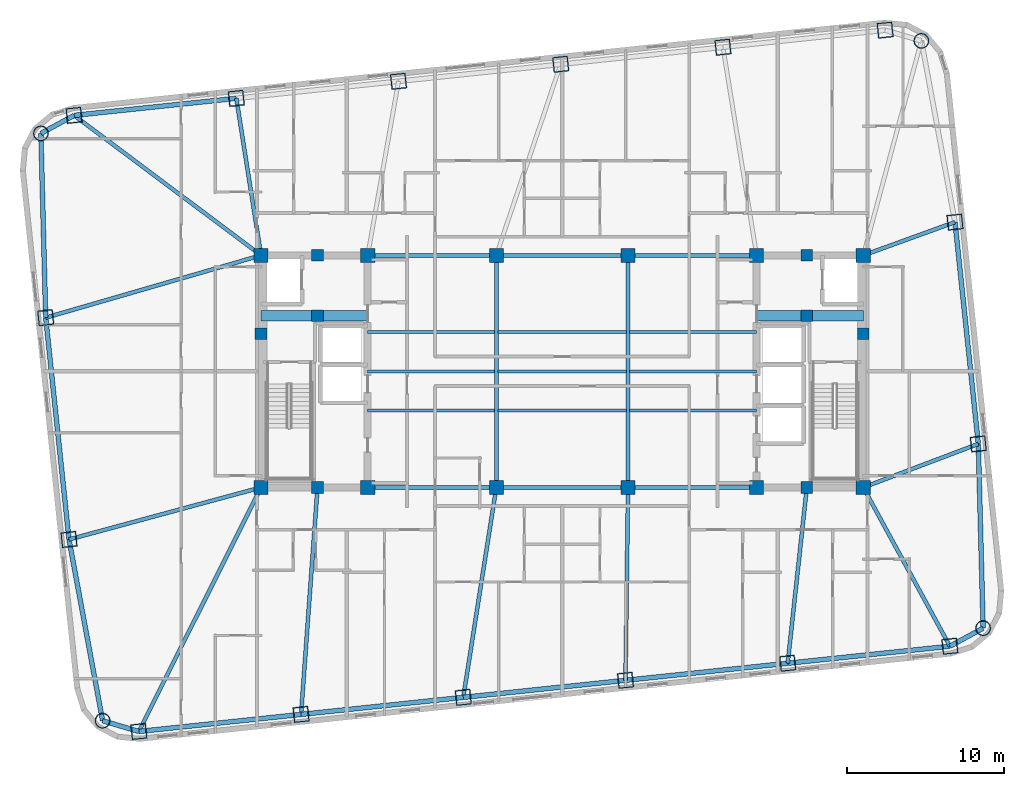
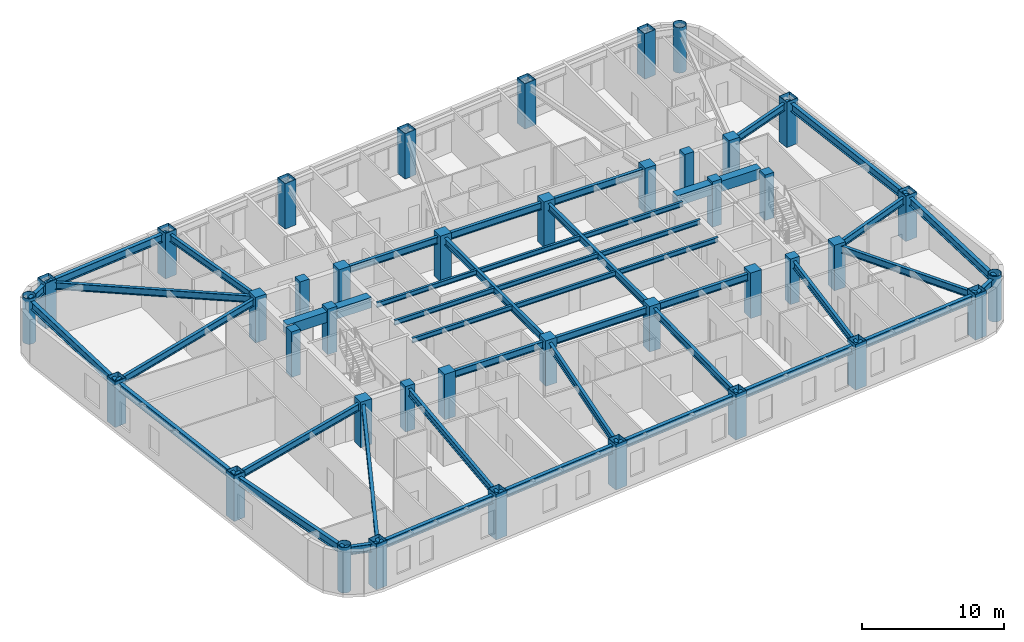
# One storey, part 1 of 12: 45 beams, 40 columns.
"""IFC4 building model written with IfcOpenShell, lengths in metres."""

from ifc_helpers import new_model, si_unit, direction, frame, origin, origin_2d, place, context, subcontext, project, spatial, rectangle, hollow_rectangle, hollow_circle, i_section, extrude, material, material_profile, profile_set, type_object, element, save


model = new_model("IFC4")

# Units and contexts
model_context = context("Model", 3, precision=1e-05, world=origin(), true_north=direction((0.0, 1.0)))
body_context = subcontext(model_context, "Body", "Model", "MODEL_VIEW")
ifc_project = project(units=[si_unit("LENGTHUNIT", "METRE"), si_unit("AREAUNIT", "SQUARE_METRE"), si_unit("VOLUMEUNIT", "CUBIC_METRE"), si_unit("PLANEANGLEUNIT", "RADIAN"), si_unit("MASSUNIT", "GRAM", prefix="KILO")], contexts=[model_context])

# Site, building, storey
site_placement = place(None, origin())
site = spatial("IfcSite", under=ifc_project, at=site_placement, CompositionType="ELEMENT")
building_placement = place(site_placement, origin())
building = spatial("IfcBuilding", under=site, at=building_placement, Name="Voryun Gate Residences", CompositionType="ELEMENT")
storey_placement = place(building_placement, frame((0.0, 0.0, 179.39990234375)))
storey = spatial("IfcBuildingStorey", under=building, at=storey_placement, Name="L44", CompositionType="ELEMENT", Elevation=179.39990234375)

# Columns
ifc_material_1 = material(Name="Concrete C50/60", Category="concrete")
ifc_material_profile_1 = material_profile(ifc_material_1, rectangle(XDim=0.75, YDim=0.75, at=origin_2d()), Name="RC-750x750")
ifc_profile_set_1 = profile_set([ifc_material_profile_1], Name="Concrete C50/60")
column_type_1 = type_object("IfcColumnType", Name="COL_CORE_750", PredefinedType="COLUMN", material=ifc_profile_set_1)
for number, where, z_axis, x_axis, name in (
    (1, (-19.199951171875, 2.39990234375, 0.0), (0.0, 0.0, 1.0), (1.0, 0.0, 0.0), "L44 Core boundary column WC-MW"),
    (2, (-15.60009765625, -7.39990234375, 0.0), (0.0, 0.0, 1.0), (1.0, 0.0, 0.0), "L44 Core boundary column WC-SM"),
    (3, (-15.60009765625, 7.39990234375, 0.0), (0.0, 0.0, 1.0), (1.0, 0.0, 0.0), "L44 Core boundary column WC-NM"),
    (4, (-15.60009765625, 3.550048828125, 0.0), (0.0, 0.0, 1.0), (1.0, 0.0, 0.0), "L44 Core boundary column WC-MM"),
    (5, (15.60009765625, 3.550048828125, 0.0), (0.0, 0.0, 1.0), (1.0, 0.0, 0.0), "L44 Core boundary column EC-MM"),
    (6, (15.60009765625, -7.39990234375, 0.0), (0.0, 0.0, 1.0), (1.0, 0.0, 0.0), "L44 Core boundary column EC-SM"),
    (7, (15.60009765625, 7.39990234375, 0.0), (0.0, 0.0, 1.0), (1.0, 0.0, 0.0), "L44 Core boundary column EC-NM"),
    (8, (19.199951171875, 2.39990234375, 0.0), (0.0, 0.0, 1.0), (1.0, 0.0, 0.0), "L44 Core boundary column EC-ME"),
):
    element("IfcColumn", number, at=place(storey_placement, frame(where, z_axis=z_axis, x_axis=x_axis)), inside=storey, type_object=column_type_1, Name=name, PredefinedType="COLUMN", context=body_context, shape_type="SweptSolid", body=[
        extrude(rectangle(XDim=0.75, YDim=0.75, at=origin_2d()), origin(), (0.0, 0.0, 1.0), 3.900146484375),
    ])
ifc_material_2 = material(Name="Concrete C50/60", Category="concrete")
ifc_material_profile_2 = material_profile(ifc_material_2, rectangle(XDim=0.89990234375, YDim=0.89990234375, at=origin_2d()), Name="RC-900x900")
ifc_profile_set_2 = profile_set([ifc_material_profile_2], Name="Concrete C50/60")
column_type_2 = type_object("IfcColumnType", Name="COL_CORE_900", PredefinedType="COLUMN", material=ifc_profile_set_2)
for number, where, z_axis, x_axis, name in (
    (9, (-19.199951171875, -7.39990234375, 0.0), (0.0, 0.0, 1.0), (1.0, 0.0, 0.0), "L44 Core boundary column WC-SW"),
    (10, (-19.199951171875, 7.39990234375, 0.0), (0.0, 0.0, 1.0), (1.0, 0.0, 0.0), "L44 Core boundary column WC-NW"),
    (11, (-12.39990234375, -7.39990234375, 0.0), (0.0, 0.0, 1.0), (1.0, 0.0, 0.0), "L44 Core boundary column WC-SE"),
    (12, (-12.39990234375, 7.39990234375, 0.0), (0.0, 0.0, 1.0), (1.0, 0.0, 0.0), "L44 Core boundary column WC-NE"),
    (13, (12.39990234375, -7.39990234375, 0.0), (0.0, 0.0, 1.0), (1.0, 0.0, 0.0), "L44 Core boundary column EC-SW"),
    (14, (12.39990234375, 7.39990234375, 0.0), (0.0, 0.0, 1.0), (1.0, 0.0, 0.0), "L44 Core boundary column EC-NW"),
    (15, (19.199951171875, -7.39990234375, 0.0), (0.0, 0.0, 1.0), (1.0, 0.0, 0.0), "L44 Core boundary column EC-SE"),
    (16, (19.199951171875, 7.39990234375, 0.0), (0.0, 0.0, 1.0), (1.0, 0.0, 0.0), "L44 Core boundary column EC-NE"),
    (17, (-4.199951171875, -7.39990234375, 0.0), (0.0, 0.0, 1.0), (1.0, 0.0, 0.0), "L44 Interior spine column SP-WS"),
    (18, (-4.199951171875, 7.39990234375, 0.0), (0.0, 0.0, 1.0), (1.0, 0.0, 0.0), "L44 Interior spine column SP-WN"),
    (19, (4.199951171875, -7.39990234375, 0.0), (0.0, 0.0, 1.0), (1.0, 0.0, 0.0), "L44 Interior spine column SP-ES"),
    (20, (4.199951171875, 7.39990234375, 0.0), (0.0, 0.0, 1.0), (1.0, 0.0, 0.0), "L44 Interior spine column SP-EN"),
):
    element("IfcColumn", number, at=place(storey_placement, frame(where, z_axis=z_axis, x_axis=x_axis)), inside=storey, type_object=column_type_2, Name=name, PredefinedType="COLUMN", context=body_context, shape_type="SweptSolid", body=[
        extrude(rectangle(XDim=0.89990234375, YDim=0.89990234375, at=origin_2d()), origin(), (0.0, 0.0, 1.0), 3.900146484375),
    ])
ifc_material_3 = material(Name="Steel SM420", Category="steel")
ifc_material_profile_3 = material_profile(ifc_material_3, hollow_circle(Radius=0.47509765625, WallThickness=0.031982421875, at=origin_2d()), Name="CHS-950x32")
ifc_profile_set_3 = profile_set([ifc_material_profile_3], Name="Steel SM420")
column_type_3 = type_object("IfcColumnType", Name="COL_CRN_950", PredefinedType="COLUMN", material=ifc_profile_set_3)
for number, where, z_axis, x_axis, name in (
    (21, (26.8408203125, -16.373779296875, 0.0), (0.0, 0.0, 1.0), (0.994521895368, 0.104528463268, 0.0), "L44 Exoskeleton column CSE"),
    (22, (22.90478515625, 21.07470703125, 0.0), (0.0, 0.0, 1.0), (0.994521895368, 0.104528463268, 0.0), "L44 Exoskeleton column CNE"),
    (23, (-33.24072265625, 15.173583984375, 0.0), (0.0, 0.0, 1.0), (0.994521895368, 0.104528463268, 0.0), "L44 Exoskeleton column CNW"),
    (24, (-29.3046875, -22.27490234375, 0.0), (0.0, 0.0, 1.0), (0.994521895368, 0.104528463268, 0.0), "L44 Exoskeleton column CSW"),
):
    element("IfcColumn", number, at=place(storey_placement, frame(where, z_axis=z_axis, x_axis=x_axis)), inside=storey, type_object=column_type_3, Name=name, PredefinedType="COLUMN", context=body_context, shape_type="SweptSolid", body=[
        extrude(hollow_circle(Radius=0.47509765625, WallThickness=0.031982421875, at=origin_2d()), origin(), (0.0, 0.0, 1.0), 3.900146484375),
    ])
ifc_material_4 = material(Name="Steel SM420", Category="steel")
ifc_material_profile_4 = material_profile(ifc_material_4, hollow_rectangle(XDim=0.949951171875, YDim=0.949951171875, WallThickness=0.031982421875, at=origin_2d()), Name="BOX-950x950x32")
ifc_profile_set_4 = profile_set([ifc_material_profile_4], Name="Steel SM420")
column_type_4 = type_object("IfcColumnType", Name="COL_EXO_B3", PredefinedType="COLUMN", material=ifc_profile_set_4)
for number, where, z_axis, x_axis, name in (
    (25, (-26.9931640625, -22.95947265625, 0.0), (0.0, 0.0, 1.0), (0.994521895368, 0.104528463268, 0.0), "L44 Exoskeleton column S1"),
    (26, (-16.650146484375, -21.87255859375, 0.0), (0.0, 0.0, 1.0), (0.994521895368, 0.104528463268, 0.0), "L44 Exoskeleton column S2"),
    (27, (-6.30712890625, -20.785400390625, 0.0), (0.0, 0.0, 1.0), (0.994521895368, 0.104528463268, 0.0), "L44 Exoskeleton column S3"),
    (28, (4.035888671875, -19.6982421875, 0.0), (0.0, 0.0, 1.0), (0.994521895368, 0.104528463268, 0.0), "L44 Exoskeleton column S4"),
    (29, (14.37890625, -18.611083984375, 0.0), (0.0, 0.0, 1.0), (0.994521895368, 0.104528463268, 0.0), "L44 Exoskeleton column S5"),
    (30, (24.721923828125, -17.524169921875, 0.0), (0.0, 0.0, 1.0), (0.994521895368, 0.104528463268, 0.0), "L44 Exoskeleton column S6"),
    (31, (26.533447265625, -4.6240234375, 0.0), (0.0, 0.0, 1.0), (0.994521895368, 0.104528463268, 0.0), "L44 Exoskeleton column E1"),
    (32, (25.047119140625, 9.51806640625, 0.0), (0.0, 0.0, 1.0), (0.994521895368, 0.104528463268, 0.0), "L44 Exoskeleton column E2"),
    (33, (20.593017578125, 21.759521484375, 0.0), (0.0, 0.0, 1.0), (0.994521895368, 0.104528463268, 0.0), "L44 Exoskeleton column N1"),
    (34, (10.25, 20.67236328125, 0.0), (0.0, 0.0, 1.0), (0.994521895368, 0.104528463268, 0.0), "L44 Exoskeleton column N2"),
    (35, (-0.093017578125, 19.58544921875, 0.0), (0.0, 0.0, 1.0), (0.994521895368, 0.104528463268, 0.0), "L44 Exoskeleton column N3"),
    (36, (-10.43603515625, 18.498291015625, 0.0), (0.0, 0.0, 1.0), (0.994521895368, 0.104528463268, 0.0), "L44 Exoskeleton column N4"),
    (37, (-20.779052734375, 17.4111328125, 0.0), (0.0, 0.0, 1.0), (0.994521895368, 0.104528463268, 0.0), "L44 Exoskeleton column N5"),
    (38, (-31.1220703125, 16.323974609375, 0.0), (0.0, 0.0, 1.0), (0.994521895368, 0.104528463268, 0.0), "L44 Exoskeleton column N6"),
    (39, (-32.93359375, 3.424072265625, 0.0), (0.0, 0.0, 1.0), (0.994521895368, 0.104528463268, 0.0), "L44 Exoskeleton column W1"),
    (40, (-31.447021484375, -10.718017578125, 0.0), (0.0, 0.0, 1.0), (0.994521895368, 0.104528463268, 0.0), "L44 Exoskeleton column W2"),
):
    element("IfcColumn", number, at=place(storey_placement, frame(where, z_axis=z_axis, x_axis=x_axis)), inside=storey, type_object=column_type_4, Name=name, PredefinedType="COLUMN", context=body_context, shape_type="SweptSolid", body=[
        extrude(hollow_rectangle(XDim=0.949951171875, YDim=0.949951171875, WallThickness=0.031982421875, at=origin_2d()), origin(), (0.0, 0.0, 1.0), 3.900146484375),
    ])

# Beams
ifc_material_5 = material(Name="Concrete C60/75", Category="concrete")
ifc_material_profile_5 = material_profile(ifc_material_5, rectangle(XDim=0.64990234375, YDim=0.89990234375, at=origin_2d()), Name="RC-650x900")
ifc_profile_set_5 = profile_set([ifc_material_profile_5], Name="Concrete C60/75")
beam_type_1 = type_object("IfcBeamType", Name="BM_COUP_RC900", PredefinedType="LINTEL", material=ifc_profile_set_5)
for number, where, z_axis, x_axis, name in (
    (41, (-19.199951171875, 3.550048828125, 3.2001953125), (1.0, 0.0, 0.0), (0.0, 1.0, 0.0), "BM-L44-WC1"),
    (42, (12.39990234375, 3.550048828125, 3.2001953125), (1.0, 0.0, 0.0), (0.0, 1.0, 0.0), "BM-L44-EC1"),
):
    element("IfcBeam", number, at=place(storey_placement, frame(where, z_axis=z_axis, x_axis=x_axis)), inside=storey, type_object=beam_type_1, Name=name, PredefinedType="LINTEL", context=body_context, shape_type="SweptSolid", body=[
        extrude(rectangle(XDim=0.64990234375, YDim=0.89990234375, at=origin_2d()), origin(), (0.0, 0.0, 1.0), 6.800048828125),
    ])
ifc_material_6 = material(Name="Steel SM355", Category="steel")
ifc_material_profile_6 = material_profile(ifc_material_6, i_section(OverallWidth=0.300048828125, OverallDepth=0.679931640625, WebThickness=0.013916015625, FlangeThickness=0.02490234375, FilletRadius=0.01806640625, at=origin_2d()), Name="H-680x300x14x25")
ifc_profile_set_6 = profile_set([ifc_material_profile_6], Name="Steel SM355")
beam_type_2 = type_object("IfcBeamType", Name="BM_EXO_SPANDREL_M", PredefinedType="SPANDREL", material=ifc_profile_set_6)
for number, where, z_axis, x_axis, name in (
    (43, (-26.9931640625, -22.95947265625, 3.31005859375), (0.99452370336, 0.10451125994, 0.0), (-0.10451125994, 0.99452370336, 0.0), "BM-L44-SPAND-01"),
    (44, (-16.650146484375, -21.87255859375, 3.31005859375), (0.994521263116, 0.104534478571, 0.0), (-0.104534478571, 0.994521263116, 0.0), "BM-L44-SPAND-02"),
    (45, (-6.30712890625, -20.785400390625, 3.31005859375), (0.994521263116, 0.104534478571, 0.0), (-0.104534478571, 0.994521263116, 0.0), "BM-L44-SPAND-03"),
    (46, (4.035888671875, -19.6982421875, 3.31005859375), (0.994521263116, 0.104534478571, 0.0), (-0.104534478571, 0.994521263116, 0.0), "BM-L44-SPAND-04"),
    (47, (14.37890625, -18.611083984375, 3.31005859375), (0.99452370336, 0.10451125994, 0.0), (-0.10451125994, 0.99452370336, 0.0), "BM-L44-SPAND-05"),
):
    element("IfcBeam", number, at=place(storey_placement, frame(where, z_axis=z_axis, x_axis=x_axis)), inside=storey, type_object=beam_type_2, Name=name, PredefinedType="SPANDREL", context=body_context, shape_type="SweptSolid", body=[
        extrude(i_section(OverallWidth=0.300048828125, OverallDepth=0.679931640625, WebThickness=0.013916015625, FlangeThickness=0.02490234375, FilletRadius=0.01806640625, at=origin_2d()), origin(), (0.0, 0.0, 1.0), 10.39990234375),
    ])
beam_1_placement = place(storey_placement, frame((24.721923828125, -17.524169921875, 3.31005859375), z_axis=(0.878830382314, 0.477134319791, 0.0), x_axis=(-0.477134319791, 0.878830382314, 0.0)))
element("IfcBeam", 48, at=beam_1_placement, inside=storey, type_object=beam_type_2, Name="BM-L44-SPAND-06", PredefinedType="SPANDREL", context=body_context, shape_type="SweptSolid", body=[
    extrude(i_section(OverallWidth=0.300048828125, OverallDepth=0.679931640625, WebThickness=0.013916015625, FlangeThickness=0.02490234375, FilletRadius=0.01806640625, at=origin_2d()), origin(), (0.0, 0.0, 1.0), 2.4111328125),
])
beam_2_placement = place(storey_placement, frame((26.8408203125, -16.373779296875, 3.31005859375), z_axis=(-0.026151005195, 0.999658003983, 0.0), x_axis=(-0.999658003983, -0.026151005195, 0.0)))
element("IfcBeam", 49, at=beam_2_placement, inside=storey, type_object=beam_type_2, Name="BM-L44-SPAND-07", PredefinedType="SPANDREL", context=body_context, shape_type="SweptSolid", body=[
    extrude(i_section(OverallWidth=0.300048828125, OverallDepth=0.679931640625, WebThickness=0.013916015625, FlangeThickness=0.02490234375, FilletRadius=0.01806640625, at=origin_2d()), origin(), (0.0, 0.0, 1.0), 11.753662109375),
])
beam_3_placement = place(storey_placement, frame((26.533447265625, -4.6240234375, 3.31005859375), z_axis=(-0.104523913446, 0.994522373563, 0.0), x_axis=(-0.994522373563, -0.104523913446, 0.0)))
element("IfcBeam", 50, at=beam_3_placement, inside=storey, type_object=beam_type_2, Name="BM-L44-SPAND-08", PredefinedType="SPANDREL", context=body_context, shape_type="SweptSolid", body=[
    extrude(i_section(OverallWidth=0.300048828125, OverallDepth=0.679931640625, WebThickness=0.013916015625, FlangeThickness=0.02490234375, FilletRadius=0.01806640625, at=origin_2d()), origin(), (0.0, 0.0, 1.0), 14.219970703125),
])
beam_4_placement = place(storey_placement, frame((-20.779052734375, 17.4111328125, 3.31005859375), z_axis=(-0.994521263116, -0.104534478571, 0.0), x_axis=(0.104534478571, -0.994521263116, 0.0)))
element("IfcBeam", 51, at=beam_4_placement, inside=storey, type_object=beam_type_2, Name="BM-L44-SPAND-15", PredefinedType="SPANDREL", context=body_context, shape_type="SweptSolid", body=[
    extrude(i_section(OverallWidth=0.300048828125, OverallDepth=0.679931640625, WebThickness=0.013916015625, FlangeThickness=0.02490234375, FilletRadius=0.01806640625, at=origin_2d()), origin(), (0.0, 0.0, 1.0), 10.39990234375),
])
beam_5_placement = place(storey_placement, frame((-31.1220703125, 16.323974609375, 3.31005859375), z_axis=(-0.878807326808, -0.47717678312, 0.0), x_axis=(0.47717678312, -0.878807326808, 0.0)))
element("IfcBeam", 52, at=beam_5_placement, inside=storey, type_object=beam_type_2, Name="BM-L44-SPAND-16", PredefinedType="SPANDREL", context=body_context, shape_type="SweptSolid", body=[
    extrude(i_section(OverallWidth=0.300048828125, OverallDepth=0.679931640625, WebThickness=0.013916015625, FlangeThickness=0.02490234375, FilletRadius=0.01806640625, at=origin_2d()), origin(), (0.0, 0.0, 1.0), 2.410888671875),
])
beam_6_placement = place(storey_placement, frame((-33.24072265625, 15.173583984375, 3.31005859375), z_axis=(0.026130790716, -0.999658532588, 0.0), x_axis=(0.999658532588, 0.026130790716, 0.0)))
element("IfcBeam", 53, at=beam_6_placement, inside=storey, type_object=beam_type_2, Name="BM-L44-SPAND-17", PredefinedType="SPANDREL", context=body_context, shape_type="SweptSolid", body=[
    extrude(i_section(OverallWidth=0.300048828125, OverallDepth=0.679931640625, WebThickness=0.013916015625, FlangeThickness=0.02490234375, FilletRadius=0.01806640625, at=origin_2d()), origin(), (0.0, 0.0, 1.0), 11.75341796875),
])
beam_7_placement = place(storey_placement, frame((-32.93359375, 3.424072265625, 3.31005859375), z_axis=(0.104540894669, -0.994520588697, 0.0), x_axis=(0.994520588697, 0.104540894669, 0.0)))
element("IfcBeam", 54, at=beam_7_placement, inside=storey, type_object=beam_type_2, Name="BM-L44-SPAND-18", PredefinedType="SPANDREL", context=body_context, shape_type="SweptSolid", body=[
    extrude(i_section(OverallWidth=0.300048828125, OverallDepth=0.679931640625, WebThickness=0.013916015625, FlangeThickness=0.02490234375, FilletRadius=0.01806640625, at=origin_2d()), origin(), (0.0, 0.0, 1.0), 14.219970703125),
])
beam_8_placement = place(storey_placement, frame((-31.447021484375, -10.718017578125, 3.31005859375), z_axis=(0.182267768769, -0.983248931079, 0.0), x_axis=(0.983248931079, 0.182267768769, 0.0)))
element("IfcBeam", 55, at=beam_8_placement, inside=storey, type_object=beam_type_2, Name="BM-L44-SPAND-19", PredefinedType="SPANDREL", context=body_context, shape_type="SweptSolid", body=[
    extrude(i_section(OverallWidth=0.300048828125, OverallDepth=0.679931640625, WebThickness=0.013916015625, FlangeThickness=0.02490234375, FilletRadius=0.01806640625, at=origin_2d()), origin(), (0.0, 0.0, 1.0), 11.753662109375),
])
beam_9_placement = place(storey_placement, frame((-29.3046875, -22.27490234375, 3.31005859375), z_axis=(0.958834884093, -0.283964196768, 0.0), x_axis=(0.283964196768, 0.958834884093, 0.0)))
element("IfcBeam", 56, at=beam_9_placement, inside=storey, type_object=beam_type_2, Name="BM-L44-SPAND-20", PredefinedType="SPANDREL", context=body_context, shape_type="SweptSolid", body=[
    extrude(i_section(OverallWidth=0.300048828125, OverallDepth=0.679931640625, WebThickness=0.013916015625, FlangeThickness=0.02490234375, FilletRadius=0.01806640625, at=origin_2d()), origin(), (0.0, 0.0, 1.0), 2.41064453125),
])
ifc_material_7 = material(Name="Steel SM355", Category="steel")
ifc_material_profile_7 = material_profile(ifc_material_7, i_section(OverallWidth=0.25, OverallDepth=0.60009765625, WebThickness=0.011962890625, FlangeThickness=0.02197265625, FilletRadius=0.01806640625, at=origin_2d()), Name="H-600x250x12x22")
ifc_profile_set_7 = profile_set([ifc_material_profile_7], Name="Steel SM355")
beam_type_3 = type_object("IfcBeamType", Name="BM_GIRD_600", PredefinedType="USERDEFINED", material=ifc_profile_set_7)
beam_10_placement = place(storey_placement, frame((-12.39990234375, -7.39990234375, 3.35009765625), z_axis=(1.0, 0.0, 0.0), x_axis=(0.0, 1.0, 0.0)))
element("IfcBeam", 57, at=beam_10_placement, inside=storey, type_object=beam_type_3, Name="BM-L44-SPG1-S", ObjectType="GIRDER", PredefinedType="USERDEFINED", context=body_context, shape_type="SweptSolid", body=[
    extrude(i_section(OverallWidth=0.25, OverallDepth=0.60009765625, WebThickness=0.011962890625, FlangeThickness=0.02197265625, FilletRadius=0.01806640625, at=origin_2d()), origin(), (0.0, 0.0, 1.0), 8.199951171875),
])
beam_11_placement = place(storey_placement, frame((-4.199951171875, -7.39990234375, 3.35009765625), z_axis=(1.0, 0.0, 0.0), x_axis=(0.0, 1.0, 0.0)))
element("IfcBeam", 58, at=beam_11_placement, inside=storey, type_object=beam_type_3, Name="BM-L44-SPG2-S", ObjectType="GIRDER", PredefinedType="USERDEFINED", context=body_context, shape_type="SweptSolid", body=[
    extrude(i_section(OverallWidth=0.25, OverallDepth=0.60009765625, WebThickness=0.011962890625, FlangeThickness=0.02197265625, FilletRadius=0.01806640625, at=origin_2d()), origin(), (0.0, 0.0, 1.0), 8.39990234375),
])
for number, where, z_axis, x_axis, name in (
    (59, (4.199951171875, -7.39990234375, 3.35009765625), (1.0, 0.0, 0.0), (0.0, 1.0, 0.0), "BM-L44-SPG3-S"),
    (60, (-12.39990234375, 7.39990234375, 3.35009765625), (1.0, 0.0, 0.0), (0.0, 1.0, 0.0), "BM-L44-SPG1-N"),
):
    element("IfcBeam", number, at=place(storey_placement, frame(where, z_axis=z_axis, x_axis=x_axis)), inside=storey, type_object=beam_type_3, Name=name, ObjectType="GIRDER", PredefinedType="USERDEFINED", context=body_context, shape_type="SweptSolid", body=[
        extrude(i_section(OverallWidth=0.25, OverallDepth=0.60009765625, WebThickness=0.011962890625, FlangeThickness=0.02197265625, FilletRadius=0.01806640625, at=origin_2d()), origin(), (0.0, 0.0, 1.0), 8.199951171875),
    ])
beam_12_placement = place(storey_placement, frame((-4.199951171875, 7.39990234375, 3.35009765625), z_axis=(1.0, 0.0, 0.0), x_axis=(0.0, 1.0, 0.0)))
element("IfcBeam", 61, at=beam_12_placement, inside=storey, type_object=beam_type_3, Name="BM-L44-SPG2-N", ObjectType="GIRDER", PredefinedType="USERDEFINED", context=body_context, shape_type="SweptSolid", body=[
    extrude(i_section(OverallWidth=0.25, OverallDepth=0.60009765625, WebThickness=0.011962890625, FlangeThickness=0.02197265625, FilletRadius=0.01806640625, at=origin_2d()), origin(), (0.0, 0.0, 1.0), 8.39990234375),
])
beam_13_placement = place(storey_placement, frame((4.199951171875, 7.39990234375, 3.35009765625), z_axis=(1.0, 0.0, 0.0), x_axis=(0.0, 1.0, 0.0)))
element("IfcBeam", 62, at=beam_13_placement, inside=storey, type_object=beam_type_3, Name="BM-L44-SPG3-N", ObjectType="GIRDER", PredefinedType="USERDEFINED", context=body_context, shape_type="SweptSolid", body=[
    extrude(i_section(OverallWidth=0.25, OverallDepth=0.60009765625, WebThickness=0.011962890625, FlangeThickness=0.02197265625, FilletRadius=0.01806640625, at=origin_2d()), origin(), (0.0, 0.0, 1.0), 8.199951171875),
])
for number, where, z_axis, x_axis, name in (
    (63, (-4.199951171875, -7.39990234375, 3.35009765625), (0.0, 1.0, 0.0), (-1.0, 0.0, 0.0), "BM-L44-SPX-W"),
    (64, (4.199951171875, -7.39990234375, 3.35009765625), (0.0, 1.0, 0.0), (-1.0, 0.0, 0.0), "BM-L44-SPX-E"),
):
    element("IfcBeam", number, at=place(storey_placement, frame(where, z_axis=z_axis, x_axis=x_axis)), inside=storey, type_object=beam_type_3, Name=name, ObjectType="GIRDER", PredefinedType="USERDEFINED", context=body_context, shape_type="SweptSolid", body=[
        extrude(i_section(OverallWidth=0.25, OverallDepth=0.60009765625, WebThickness=0.011962890625, FlangeThickness=0.02197265625, FilletRadius=0.01806640625, at=origin_2d()), origin(), (0.0, 0.0, 1.0), 14.7998046875),
    ])
beam_14_placement = place(storey_placement, frame((-19.199951171875, -7.39990234375, 3.35009765625), z_axis=(-0.447830780254, -0.894118332357, 0.0), x_axis=(0.894118332357, -0.447830780254, 0.0)))
element("IfcBeam", 65, at=beam_14_placement, inside=storey, type_object=beam_type_3, Name="BM-L44-RAD-S1", ObjectType="GIRDER", PredefinedType="USERDEFINED", context=body_context, shape_type="SweptSolid", body=[
    extrude(i_section(OverallWidth=0.25, OverallDepth=0.60009765625, WebThickness=0.011962890625, FlangeThickness=0.02197265625, FilletRadius=0.01806640625, at=origin_2d()), origin(), (0.0, 0.0, 1.0), 17.402099609375),
])
beam_15_placement = place(storey_placement, frame((-15.60009765625, -7.39990234375, 3.35009765625), z_axis=(-0.072363766769, -0.99737830599, 0.0), x_axis=(0.99737830599, -0.072363766769, 0.0)))
element("IfcBeam", 66, at=beam_15_placement, inside=storey, type_object=beam_type_3, Name="BM-L44-RAD-S2", ObjectType="GIRDER", PredefinedType="USERDEFINED", context=body_context, shape_type="SweptSolid", body=[
    extrude(i_section(OverallWidth=0.25, OverallDepth=0.60009765625, WebThickness=0.011962890625, FlangeThickness=0.02197265625, FilletRadius=0.01806640625, at=origin_2d()), origin(), (0.0, 0.0, 1.0), 14.5107421875),
])
beam_16_placement = place(storey_placement, frame((-4.199951171875, -7.39990234375, 3.35009765625), z_axis=(-0.155507352157, -0.987834734875, 0.0), x_axis=(0.987834734875, -0.155507352157, 0.0)))
element("IfcBeam", 67, at=beam_16_placement, inside=storey, type_object=beam_type_3, Name="BM-L44-RAD-S3", ObjectType="GIRDER", PredefinedType="USERDEFINED", context=body_context, shape_type="SweptSolid", body=[
    extrude(i_section(OverallWidth=0.25, OverallDepth=0.60009765625, WebThickness=0.011962890625, FlangeThickness=0.02197265625, FilletRadius=0.01806640625, at=origin_2d()), origin(), (0.0, 0.0, 1.0), 13.55029296875),
])
beam_17_placement = place(storey_placement, frame((4.199951171875, -7.39990234375, 3.35009765625), z_axis=(-0.013339028327, -0.999911031204, 0.0), x_axis=(0.999911031204, -0.013339028327, 0.0)))
element("IfcBeam", 68, at=beam_17_placement, inside=storey, type_object=beam_type_3, Name="BM-L44-RAD-S4", ObjectType="GIRDER", PredefinedType="USERDEFINED", context=body_context, shape_type="SweptSolid", body=[
    extrude(i_section(OverallWidth=0.25, OverallDepth=0.60009765625, WebThickness=0.011962890625, FlangeThickness=0.02197265625, FilletRadius=0.01806640625, at=origin_2d()), origin(), (0.0, 0.0, 1.0), 12.29931640625),
])
beam_18_placement = place(storey_placement, frame((15.60009765625, -7.39990234375, 3.35009765625), z_axis=(-0.108285693252, -0.994119816037, 0.0), x_axis=(0.994119816037, -0.108285693252, 0.0)))
element("IfcBeam", 69, at=beam_18_placement, inside=storey, type_object=beam_type_3, Name="BM-L44-RAD-S5", ObjectType="GIRDER", PredefinedType="USERDEFINED", context=body_context, shape_type="SweptSolid", body=[
    extrude(i_section(OverallWidth=0.25, OverallDepth=0.60009765625, WebThickness=0.011962890625, FlangeThickness=0.02197265625, FilletRadius=0.01806640625, at=origin_2d()), origin(), (0.0, 0.0, 1.0), 11.277587890625),
])
beam_19_placement = place(storey_placement, frame((19.199951171875, -7.39990234375, 3.35009765625), z_axis=(0.478828398266, -0.877908517451, 0.0), x_axis=(0.877908517451, 0.478828398266, 0.0)))
element("IfcBeam", 70, at=beam_19_placement, inside=storey, type_object=beam_type_3, Name="BM-L44-RAD-S6", ObjectType="GIRDER", PredefinedType="USERDEFINED", context=body_context, shape_type="SweptSolid", body=[
    extrude(i_section(OverallWidth=0.25, OverallDepth=0.60009765625, WebThickness=0.011962890625, FlangeThickness=0.02197265625, FilletRadius=0.01806640625, at=origin_2d()), origin(), (0.0, 0.0, 1.0), 11.5322265625),
])
beam_20_placement = place(storey_placement, frame((19.199951171875, -7.39990234375, 3.35009765625), z_axis=(0.93524224301, 0.354008399462, 0.0), x_axis=(-0.354008399462, 0.93524224301, 0.0)))
element("IfcBeam", 71, at=beam_20_placement, inside=storey, type_object=beam_type_3, Name="BM-L44-RAD-E1", ObjectType="GIRDER", PredefinedType="USERDEFINED", context=body_context, shape_type="SweptSolid", body=[
    extrude(i_section(OverallWidth=0.25, OverallDepth=0.60009765625, WebThickness=0.011962890625, FlangeThickness=0.02197265625, FilletRadius=0.01806640625, at=origin_2d()), origin(), (0.0, 0.0, 1.0), 7.84130859375),
])
beam_21_placement = place(storey_placement, frame((19.199951171875, 7.39990234375, 3.35009765625), z_axis=(0.94020993833, 0.340595466595, 0.0), x_axis=(-0.340595466595, 0.94020993833, 0.0)))
element("IfcBeam", 72, at=beam_21_placement, inside=storey, type_object=beam_type_3, Name="BM-L44-RAD-E2", ObjectType="GIRDER", PredefinedType="USERDEFINED", context=body_context, shape_type="SweptSolid", body=[
    extrude(i_section(OverallWidth=0.25, OverallDepth=0.60009765625, WebThickness=0.011962890625, FlangeThickness=0.02197265625, FilletRadius=0.01806640625, at=origin_2d()), origin(), (0.0, 0.0, 1.0), 6.218994140625),
])
beam_22_placement = place(storey_placement, frame((-19.199951171875, 7.39990234375, 3.35009765625), z_axis=(-0.155806710133, 0.987787562727, 0.0), x_axis=(-0.987787562727, -0.155806710133, 0.0)))
element("IfcBeam", 73, at=beam_22_placement, inside=storey, type_object=beam_type_3, Name="BM-L44-RAD-N5", ObjectType="GIRDER", PredefinedType="USERDEFINED", context=body_context, shape_type="SweptSolid", body=[
    extrude(i_section(OverallWidth=0.25, OverallDepth=0.60009765625, WebThickness=0.011962890625, FlangeThickness=0.02197265625, FilletRadius=0.01806640625, at=origin_2d()), origin(), (0.0, 0.0, 1.0), 10.135009765625),
])
beam_23_placement = place(storey_placement, frame((-19.199951171875, 7.39990234375, 3.35009765625), z_axis=(-0.800564252374, 0.599246925583, 0.0), x_axis=(-0.599246925583, -0.800564252374, 0.0)))
element("IfcBeam", 74, at=beam_23_placement, inside=storey, type_object=beam_type_3, Name="BM-L44-RAD-N6", ObjectType="GIRDER", PredefinedType="USERDEFINED", context=body_context, shape_type="SweptSolid", body=[
    extrude(i_section(OverallWidth=0.25, OverallDepth=0.60009765625, WebThickness=0.011962890625, FlangeThickness=0.02197265625, FilletRadius=0.01806640625, at=origin_2d()), origin(), (0.0, 0.0, 1.0), 14.89208984375),
])
beam_24_placement = place(storey_placement, frame((-19.199951171875, 7.39990234375, 3.35009765625), z_axis=(-0.960558623239, -0.278077563498, 0.0), x_axis=(0.278077563498, -0.960558623239, 0.0)))
element("IfcBeam", 75, at=beam_24_placement, inside=storey, type_object=beam_type_3, Name="BM-L44-RAD-W1", ObjectType="GIRDER", PredefinedType="USERDEFINED", context=body_context, shape_type="SweptSolid", body=[
    extrude(i_section(OverallWidth=0.25, OverallDepth=0.60009765625, WebThickness=0.011962890625, FlangeThickness=0.02197265625, FilletRadius=0.01806640625, at=origin_2d()), origin(), (0.0, 0.0, 1.0), 14.297607421875),
])
beam_25_placement = place(storey_placement, frame((-19.199951171875, -7.39990234375, 3.35009765625), z_axis=(-0.965202497616, -0.261503611058, 0.0), x_axis=(0.261503611058, -0.965202497616, 0.0)))
element("IfcBeam", 76, at=beam_25_placement, inside=storey, type_object=beam_type_3, Name="BM-L44-RAD-W2", ObjectType="GIRDER", PredefinedType="USERDEFINED", context=body_context, shape_type="SweptSolid", body=[
    extrude(i_section(OverallWidth=0.25, OverallDepth=0.60009765625, WebThickness=0.011962890625, FlangeThickness=0.02197265625, FilletRadius=0.01806640625, at=origin_2d()), origin(), (0.0, 0.0, 1.0), 12.688720703125),
])
ifc_material_8 = material(Name="Steel SM355", Category="steel")
ifc_material_profile_8 = material_profile(ifc_material_8, i_section(OverallWidth=0.18994140625, OverallDepth=0.419921875, WebThickness=0.009033203125, FlangeThickness=0.01611328125, FilletRadius=0.01806640625, at=origin_2d()), Name="H-420x190x9x16")
ifc_profile_set_8 = profile_set([ifc_material_profile_8], Name="Steel SM355")
beam_type_4 = type_object("IfcBeamType", Name="BM_SEC_420", PredefinedType="BEAM", material=ifc_profile_set_8)
beam_26_placement = place(storey_placement, frame((-12.39990234375, -2.5, 3.440185546875), z_axis=(1.0, 0.0, 0.0), x_axis=(0.0, 1.0, 0.0)))
element("IfcBeam", 77, at=beam_26_placement, inside=storey, type_object=beam_type_4, Name="BM-L44-SEC-CS1", PredefinedType="BEAM", context=body_context, shape_type="SweptSolid", body=[
    extrude(i_section(OverallWidth=0.18994140625, OverallDepth=0.419921875, WebThickness=0.009033203125, FlangeThickness=0.01611328125, FilletRadius=0.01806640625, at=origin_2d()), origin(), (0.0, 0.0, 1.0), 8.099853515625),
])
beam_27_placement = place(storey_placement, frame((-4.10009765625, -2.5, 3.440185546875), z_axis=(1.0, 0.0, 0.0), x_axis=(0.0, 1.0, 0.0)))
element("IfcBeam", 78, at=beam_27_placement, inside=storey, type_object=beam_type_4, Name="BM-L44-SEC-CS2", PredefinedType="BEAM", context=body_context, shape_type="SweptSolid", body=[
    extrude(i_section(OverallWidth=0.18994140625, OverallDepth=0.419921875, WebThickness=0.009033203125, FlangeThickness=0.01611328125, FilletRadius=0.01806640625, at=origin_2d()), origin(), (0.0, 0.0, 1.0), 8.2001953125),
])
for number, where, z_axis, x_axis, name in (
    (79, (4.300048828125, -2.5, 3.440185546875), (1.0, 0.0, 0.0), (0.0, 1.0, 0.0), "BM-L44-SEC-CS3"),
    (80, (-12.39990234375, 0.0, 3.440185546875), (1.0, 0.0, 0.0), (0.0, 1.0, 0.0), "BM-L44-SEC-CM1"),
):
    element("IfcBeam", number, at=place(storey_placement, frame(where, z_axis=z_axis, x_axis=x_axis)), inside=storey, type_object=beam_type_4, Name=name, PredefinedType="BEAM", context=body_context, shape_type="SweptSolid", body=[
        extrude(i_section(OverallWidth=0.18994140625, OverallDepth=0.419921875, WebThickness=0.009033203125, FlangeThickness=0.01611328125, FilletRadius=0.01806640625, at=origin_2d()), origin(), (0.0, 0.0, 1.0), 8.099853515625),
    ])
beam_28_placement = place(storey_placement, frame((-4.10009765625, 0.0, 3.440185546875), z_axis=(1.0, 0.0, 0.0), x_axis=(0.0, 1.0, 0.0)))
element("IfcBeam", 81, at=beam_28_placement, inside=storey, type_object=beam_type_4, Name="BM-L44-SEC-CM2", PredefinedType="BEAM", context=body_context, shape_type="SweptSolid", body=[
    extrude(i_section(OverallWidth=0.18994140625, OverallDepth=0.419921875, WebThickness=0.009033203125, FlangeThickness=0.01611328125, FilletRadius=0.01806640625, at=origin_2d()), origin(), (0.0, 0.0, 1.0), 8.2001953125),
])
for number, where, z_axis, x_axis, name in (
    (82, (4.300048828125, 0.0, 3.440185546875), (1.0, 0.0, 0.0), (0.0, 1.0, 0.0), "BM-L44-SEC-CM3"),
    (83, (-12.39990234375, 2.5, 3.440185546875), (1.0, 0.0, 0.0), (0.0, 1.0, 0.0), "BM-L44-SEC-CN1"),
):
    element("IfcBeam", number, at=place(storey_placement, frame(where, z_axis=z_axis, x_axis=x_axis)), inside=storey, type_object=beam_type_4, Name=name, PredefinedType="BEAM", context=body_context, shape_type="SweptSolid", body=[
        extrude(i_section(OverallWidth=0.18994140625, OverallDepth=0.419921875, WebThickness=0.009033203125, FlangeThickness=0.01611328125, FilletRadius=0.01806640625, at=origin_2d()), origin(), (0.0, 0.0, 1.0), 8.099853515625),
    ])
beam_29_placement = place(storey_placement, frame((-4.10009765625, 2.5, 3.440185546875), z_axis=(1.0, 0.0, 0.0), x_axis=(0.0, 1.0, 0.0)))
element("IfcBeam", 84, at=beam_29_placement, inside=storey, type_object=beam_type_4, Name="BM-L44-SEC-CN2", PredefinedType="BEAM", context=body_context, shape_type="SweptSolid", body=[
    extrude(i_section(OverallWidth=0.18994140625, OverallDepth=0.419921875, WebThickness=0.009033203125, FlangeThickness=0.01611328125, FilletRadius=0.01806640625, at=origin_2d()), origin(), (0.0, 0.0, 1.0), 8.2001953125),
])
beam_30_placement = place(storey_placement, frame((4.300048828125, 2.5, 3.440185546875), z_axis=(1.0, 0.0, 0.0), x_axis=(0.0, 1.0, 0.0)))
element("IfcBeam", 85, at=beam_30_placement, inside=storey, type_object=beam_type_4, Name="BM-L44-SEC-CN3", PredefinedType="BEAM", context=body_context, shape_type="SweptSolid", body=[
    extrude(i_section(OverallWidth=0.18994140625, OverallDepth=0.419921875, WebThickness=0.009033203125, FlangeThickness=0.01611328125, FilletRadius=0.01806640625, at=origin_2d()), origin(), (0.0, 0.0, 1.0), 8.099853515625),
])

save(model, "model.ifc")
